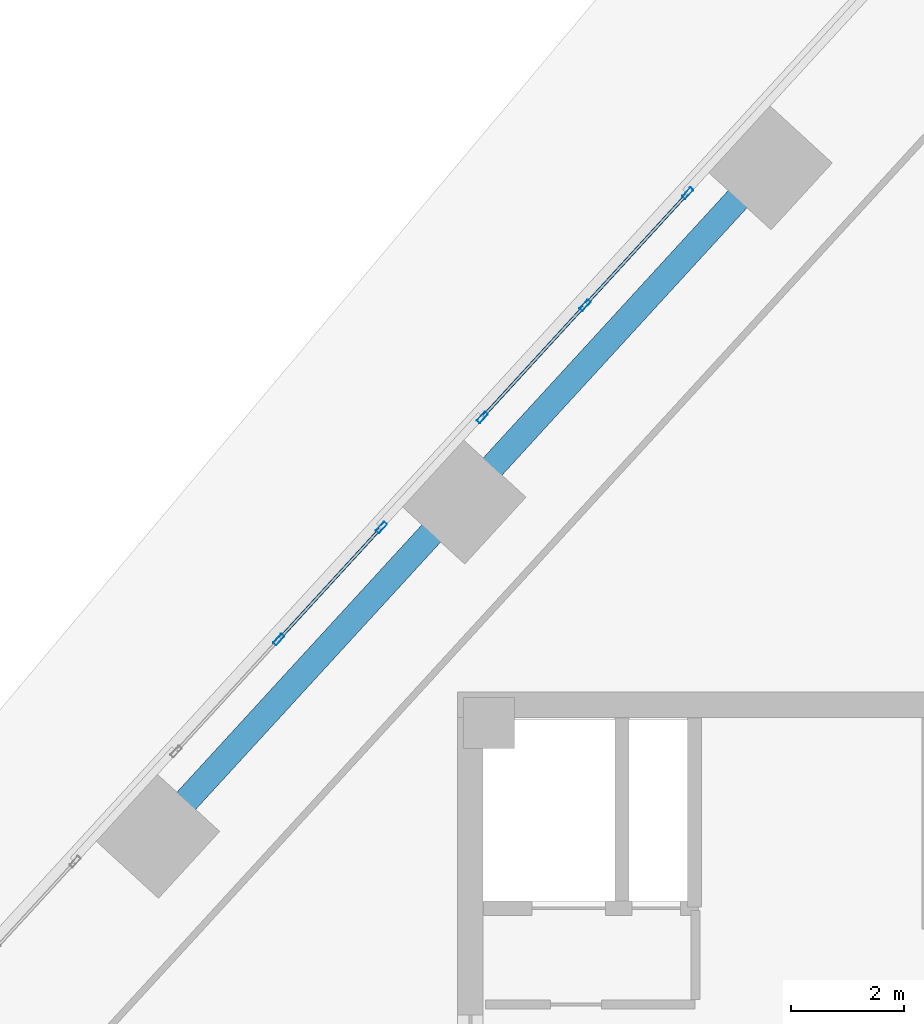
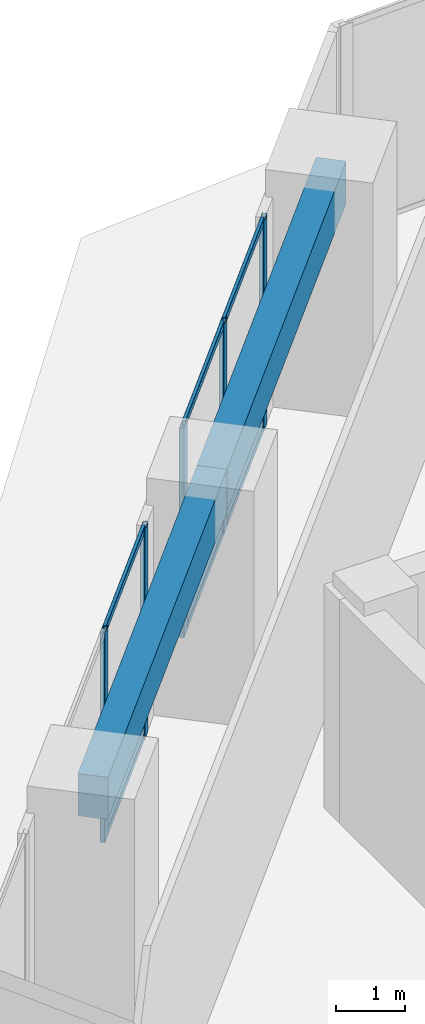
# One storey, part 10 of 19: 11 members, 2 beams, 2 elements without a shape of their own.
"""IFC4 building model written with IfcOpenShell, lengths in metres."""

from ifc_helpers import new_model, si_unit, direction, frame, origin, origin_2d, place, context, subcontext, project, spatial, rectangle, hollow_rectangle, extrude, source, transform, mapped, material, material_profile, profile_set, type_object, element, aggregate, save


model = new_model("IFC4")

# Units and contexts
model_context = context("Model", 3, precision=1e-05, world=origin(), true_north=direction((0.0, 1.0)))
body_context = subcontext(model_context, "Body", "Model", "MODEL_VIEW")
ifc_project = project(units=[si_unit("LENGTHUNIT", "METRE"), si_unit("AREAUNIT", "SQUARE_METRE"), si_unit("VOLUMEUNIT", "CUBIC_METRE"), si_unit("PLANEANGLEUNIT", "RADIAN"), si_unit("MASSUNIT", "GRAM", prefix="KILO")], contexts=[model_context])

# Site, building, storey
site_placement = place(None, origin())
site = spatial("IfcSite", under=ifc_project, at=site_placement, CompositionType="ELEMENT")
building_placement = place(site_placement, origin())
building = spatial("IfcBuilding", under=site, at=building_placement, Name="Torre Montelarca", CompositionType="ELEMENT")
storey_placement = place(building_placement, frame((0.0, 0.0, 229.0)))
storey = spatial("IfcBuildingStorey", under=building, at=storey_placement, Name="L51", CompositionType="ELEMENT", Elevation=229.0)

# Beams
ifc_material_1 = material(Name="Concrete C55/67", Category="concrete")
ifc_material_profile_1 = material_profile(ifc_material_1, rectangle(XDim=0.449951171875, YDim=0.75, at=origin_2d()), Name="RCB450X750", Category="concrete")
ifc_profile_set_1 = profile_set([ifc_material_profile_1], Name="Concrete C55/67")
beam_type = type_object("IfcBeamType", Name="BM-SP-RC750-EXT", PredefinedType="SPANDREL", material=ifc_profile_set_1)
shared_shape_1 = source(origin(), body_context, "Body", "SweptSolid", [
    extrude(rectangle(XDim=0.449951171875, YDim=0.75, at=origin_2d()), origin(), (0.0, 0.0, 1.0), 8.0),
])
for number, where, z_axis, x_axis, name in (
    (1, (3.672119140625, 37.485595703125, 3.5849609375), (0.675596099327, 0.737271938008, 0.0), (-0.737271938008, 0.675596099327, 0.0), "L51 Grid Girder Y 24.0-32.0 at X=4.7"),
    (2, (9.076904296875, 43.3837890625, 3.5849609375), (0.675596099327, 0.737271938008, 0.0), (-0.737271938008, 0.675596099327, 0.0), "L51 Grid Girder Y 32.0-40.0 at X=4.7"),
):
    element("IfcBeam", number, at=place(storey_placement, frame(where, z_axis=z_axis, x_axis=x_axis)), inside=storey, type_object=beam_type, Name=name, PredefinedType="SPANDREL", context=body_context, shape_type="MappedRepresentation", body=[
        mapped(shared_shape_1, transform((0.0, 0.0, 0.0), scale=1.0)),
    ])

# Curtain wall, members
ifc_material_2 = material(Name="Insulated low-E laminated glass", Category="glass")
curtain_wall_type = type_object("IfcCurtainWallType", Name="CW-SYS-Z3", PredefinedType="USERDEFINED", material=ifc_material_2)
curtain_wall_1_placement = place(storey_placement, origin())
curtain_wall_1 = element("IfcCurtainWall", 3, at=curtain_wall_1_placement, inside=storey, type_object=curtain_wall_type, Name="L51 Curtain Wall Run CW-T3-L51-E10-B1", ObjectType="UNITISED GLAZING", PredefinedType="USERDEFINED")
ifc_material_3 = material(Name="Anodised aluminium AA 6063-T6", Category="aluminium")
ifc_material_profile_2 = material_profile(ifc_material_3, hollow_rectangle(XDim=0.074951171875, YDim=0.219970703125, WallThickness=0.0048828125, InnerFilletRadius=0.0048828125, OuterFilletRadius=0.010009765625, at=origin_2d()), Name="ALU75X220X5", Category="aluminium")
ifc_profile_set_2 = profile_set([ifc_material_profile_2], Name="Anodised aluminium AA 6063-T6")
member_type_1 = type_object("IfcMemberType", Name="CWM-ALU220", PredefinedType="MULLION", material=ifc_profile_set_2)
shared_shape_2 = source(origin(), body_context, "Body", "SweptSolid", [
    extrude(hollow_rectangle(XDim=0.074951171875, YDim=0.219970703125, WallThickness=0.0048828125, InnerFilletRadius=0.0048828125, OuterFilletRadius=0.010009765625, at=origin_2d()), origin(), (0.0, 0.0, 1.0), 3.719970703125),
])
member_1_placement = place(storey_placement, frame((13.060546875, 48.796875, 0.0), z_axis=(0.0, 0.0, 1.0), x_axis=(0.737270876043, -0.675597258238, 0.0)))
member_1 = element("IfcMember", 4, at=member_1_placement, type_object=member_type_1, Name="CW mullion 1", PredefinedType="MULLION", context=body_context, shape_type="MappedRepresentation", body=[
    mapped(shared_shape_2, transform((0.0, 0.0, 0.0), scale=1.0)),
])
member_2_placement = place(storey_placement, frame((11.248291015625, 46.8193359375, 0.0), z_axis=(0.0, 0.0, 1.0), x_axis=(0.737270876043, -0.675597258238, 0.0)))
member_2 = element("IfcMember", 5, at=member_2_placement, type_object=member_type_1, Name="CW mullion 2", PredefinedType="MULLION", context=body_context, shape_type="MappedRepresentation", body=[
    mapped(shared_shape_2, transform((0.0, 0.0, 0.0), scale=1.0)),
])
member_3_placement = place(storey_placement, frame((9.43603515625, 44.841552734375, 0.0), z_axis=(0.0, 0.0, 1.0), x_axis=(0.737270876043, -0.675597258238, 0.0)))
member_3 = element("IfcMember", 6, at=member_3_placement, type_object=member_type_1, Name="CW mullion 3", PredefinedType="MULLION", context=body_context, shape_type="MappedRepresentation", body=[
    mapped(shared_shape_2, transform((0.0, 0.0, 0.0), scale=1.0)),
])

curtain_wall_2_placement = place(storey_placement, origin())
curtain_wall_2 = element("IfcCurtainWall", 7, at=curtain_wall_2_placement, inside=storey, type_object=curtain_wall_type, Name="L51 Curtain Wall Run CW-T3-L51-E10-B2", ObjectType="UNITISED GLAZING", PredefinedType="USERDEFINED")
member_4_placement = place(storey_placement, frame((7.656005859375, 42.898681640625, 0.0), z_axis=(0.0, 0.0, 1.0), x_axis=(0.737279266272, -0.675588101971, 0.0)))
member_4 = element("IfcMember", 8, at=member_4_placement, type_object=member_type_1, Name="CW mullion 1", PredefinedType="MULLION", context=body_context, shape_type="MappedRepresentation", body=[
    mapped(shared_shape_2, transform((0.0, 0.0, 0.0), scale=1.0)),
])
member_5_placement = place(storey_placement, frame((5.84375, 40.9208984375, 0.0), z_axis=(0.0, 0.0, 1.0), x_axis=(0.737279266272, -0.675588101971, 0.0)))
member_5 = element("IfcMember", 9, at=member_5_placement, type_object=member_type_1, Name="CW mullion 2", PredefinedType="MULLION", context=body_context, shape_type="MappedRepresentation", body=[
    mapped(shared_shape_2, transform((0.0, 0.0, 0.0), scale=1.0)),
])

# Member
ifc_material_profile_3 = material_profile(ifc_material_3, hollow_rectangle(XDim=0.054931640625, YDim=0.1201171875, WallThickness=0.00341796875, InnerFilletRadius=0.00341796875, OuterFilletRadius=0.007080078125, at=origin_2d()), Name="ALU55X120X3.5", Category="aluminium")
ifc_profile_set_3 = profile_set([ifc_material_profile_3], Name="Anodised aluminium AA 6063-T6")
member_type_2 = type_object("IfcMemberType", Name="CWT-ALU120", PredefinedType="USERDEFINED", material=ifc_profile_set_3)
shared_shape_3 = source(origin(), body_context, "Body", "SweptSolid", [
    extrude(hollow_rectangle(XDim=0.054931640625, YDim=0.1201171875, WallThickness=0.00341796875, InnerFilletRadius=0.00341796875, OuterFilletRadius=0.007080078125, at=origin_2d()), origin(), (0.0, 0.0, 1.0), 2.607421875),
])
member_6_placement = place(storey_placement, frame((13.035400390625, 48.769287109375, 0.027587890625), z_axis=(-0.675631346806, -0.737239637576, 0.0), x_axis=(0.737239637576, -0.675631346806, 0.0)))
member_6 = element("IfcMember", 10, at=member_6_placement, type_object=member_type_2, Name="CW transom 1.1", ObjectType="TRANSOM", PredefinedType="USERDEFINED", context=body_context, shape_type="MappedRepresentation", body=[
    mapped(shared_shape_3, transform((0.0, 0.0, 0.0), scale=1.0)),
])

member_7_placement = place(storey_placement, frame((13.035400390625, 48.769287109375, 3.6923828125), z_axis=(-0.675631346806, -0.737239637576, 0.0), x_axis=(0.737239637576, -0.675631346806, 0.0)))
member_7 = element("IfcMember", 11, at=member_7_placement, type_object=member_type_2, Name="CW transom 1.2", ObjectType="TRANSOM", PredefinedType="USERDEFINED", context=body_context, shape_type="MappedRepresentation", body=[
    mapped(shared_shape_3, transform((0.0, 0.0, 0.0), scale=1.0)),
])

member_8_placement = place(storey_placement, frame((11.22314453125, 46.79150390625, 0.027587890625), z_axis=(-0.675631346806, -0.737239637576, 0.0), x_axis=(0.737239637576, -0.675631346806, 0.0)))
member_8 = element("IfcMember", 12, at=member_8_placement, type_object=member_type_2, Name="CW transom 2.1", ObjectType="TRANSOM", PredefinedType="USERDEFINED", context=body_context, shape_type="MappedRepresentation", body=[
    mapped(shared_shape_3, transform((0.0, 0.0, 0.0), scale=1.0)),
])

member_9_placement = place(storey_placement, frame((11.22314453125, 46.79150390625, 3.6923828125), z_axis=(-0.675631346806, -0.737239637576, 0.0), x_axis=(0.737239637576, -0.675631346806, 0.0)))
member_9 = element("IfcMember", 13, at=member_9_placement, type_object=member_type_2, Name="CW transom 2.2", ObjectType="TRANSOM", PredefinedType="USERDEFINED", context=body_context, shape_type="MappedRepresentation", body=[
    mapped(shared_shape_3, transform((0.0, 0.0, 0.0), scale=1.0)),
])

aggregate(curtain_wall_1, [member_1, member_2, member_3, member_6, member_7, member_8, member_9])

member_10_placement = place(storey_placement, frame((7.630615234375, 42.87109375, 0.027587890625), z_axis=(-0.675580452191, -0.737286275891, 0.0), x_axis=(0.737286275891, -0.675580452191, 0.0)))
member_10 = element("IfcMember", 14, at=member_10_placement, type_object=member_type_2, Name="CW transom 1.1", ObjectType="TRANSOM", PredefinedType="USERDEFINED", context=body_context, shape_type="MappedRepresentation", body=[
    mapped(shared_shape_3, transform((0.0, 0.0, 0.0), scale=1.0)),
])

member_11_placement = place(storey_placement, frame((7.630615234375, 42.87109375, 3.6923828125), z_axis=(-0.675580452191, -0.737286275891, 0.0), x_axis=(0.737286275891, -0.675580452191, 0.0)))
member_11 = element("IfcMember", 15, at=member_11_placement, type_object=member_type_2, Name="CW transom 1.2", ObjectType="TRANSOM", PredefinedType="USERDEFINED", context=body_context, shape_type="MappedRepresentation", body=[
    mapped(shared_shape_3, transform((0.0, 0.0, 0.0), scale=1.0)),
])

aggregate(curtain_wall_2, [member_4, member_5, member_10, member_11])

save(model, "model.ifc")
